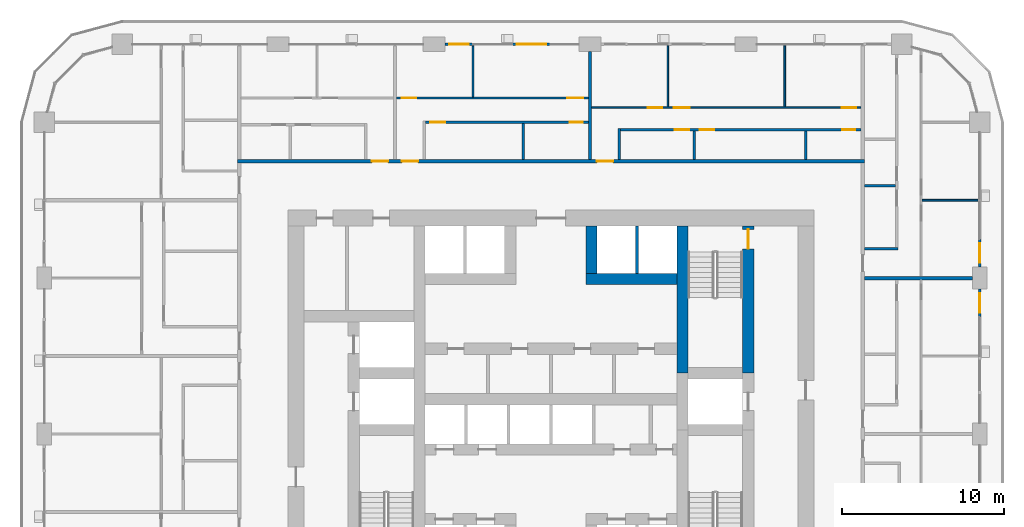
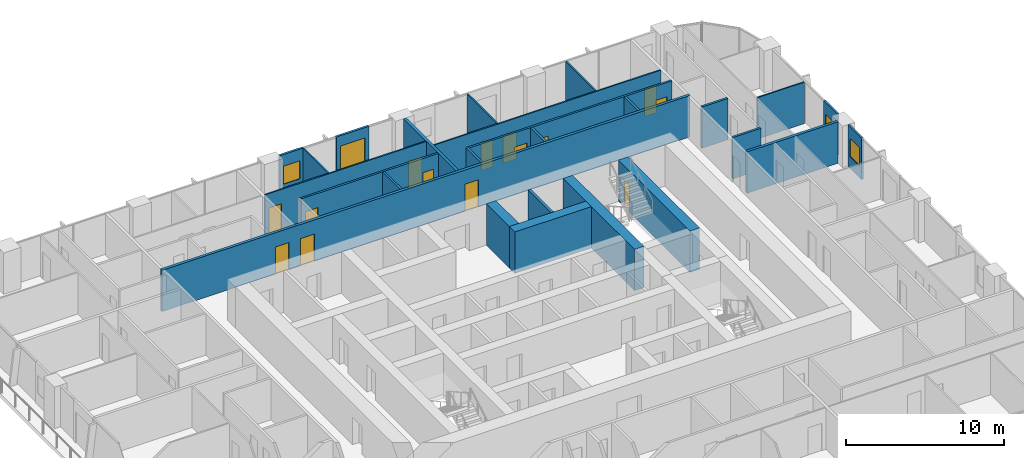
# One storey, part 14 of 21: 26 walls, 15 doors, 3 windows, 18 openings.
"""IFC4 building model written with IfcOpenShell, lengths in metres."""

from ifc_helpers import new_model, si_unit, direction, frame, frame_2d, origin, place, context, subcontext, project, spatial, rectangle, extrude, material, layer, layer_set, type_object, element, fill, save


model = new_model("IFC4")

# Units and contexts
model_context = context("Model", 3, precision=1e-05, world=origin(), true_north=direction((0.0, 1.0)))
body_context = subcontext(model_context, "Body", "Model", "MODEL_VIEW")
ifc_project = project(units=[si_unit("LENGTHUNIT", "METRE"), si_unit("AREAUNIT", "SQUARE_METRE"), si_unit("VOLUMEUNIT", "CUBIC_METRE"), si_unit("PLANEANGLEUNIT", "RADIAN"), si_unit("MASSUNIT", "GRAM", prefix="KILO")], contexts=[model_context])

# Site, building, storey
site_placement = place(None, origin())
site = spatial("IfcSite", under=ifc_project, at=site_placement, CompositionType="ELEMENT")
building_placement = place(site_placement, origin())
building = spatial("IfcBuilding", under=site, at=building_placement, Name="Madar Terraces", CompositionType="ELEMENT")
storey_placement = place(building_placement, frame((0.0, 0.0, 46.89990234375)))
storey = spatial("IfcBuildingStorey", under=building, at=storey_placement, Name="L11", CompositionType="ELEMENT", Elevation=46.89990234375)

# Wall
ifc_material_1 = material(Name="Concrete C80/95", Category="concrete")
ifc_layer_1 = layer(ifc_material_1, 0.699951171875)
ifc_layer_set_1 = layer_set([ifc_layer_1], Name="Concrete C80/95 (CIW1 RC wall 700)")
wall_type_1 = type_object("IfcWallType", Name="CIW1 RC wall 700", PredefinedType="SHEAR", material=ifc_layer_set_1)
wall_1_placement = place(storey_placement, frame((39.300048828125, 27.75, 0.0), z_axis=(0.0, 0.0, 1.0), x_axis=(0.0, 1.0, 0.0)))
element("IfcWall", 1, at=wall_1_placement, inside=storey, type_object=wall_type_1, Name="CORE SHAFT WALL", PredefinedType="SHEAR", context=body_context, shape_type="SweptSolid", body=[
    extrude(rectangle(XDim=9.050048828125, YDim=0.699951171875, at=frame_2d((4.52490234375, 0.0))), origin(), (0.0, 0.0, 1.0), 3.2001953125),
])

# Wall, opening, door
wall_2_placement = place(storey_placement, frame((43.35009765625, 27.75, 0.0), z_axis=(0.0, 0.0, 1.0), x_axis=(0.0, 1.0, 0.0)))
wall_2 = element("IfcWall", 2, at=wall_2_placement, inside=storey, type_object=wall_type_1, Name="CORE SHAFT WALL", PredefinedType="SHEAR", context=body_context, shape_type="SweptSolid", body=[
    extrude(rectangle(XDim=9.050048828125, YDim=0.699951171875, at=frame_2d((4.52490234375, 0.0))), origin(), (0.0, 0.0, 1.0), 3.2001953125),
])
opening_1_placement = place(wall_2_placement, frame((7.64990234375, 0.0, 0.0)))
opening_1 = element("IfcOpeningElement", 3, at=opening_1_placement, cuts=wall_2, Name="Opening SD1", PredefinedType="OPENING", context=body_context, shape_type="SweptSolid", body=[
    extrude(rectangle(XDim=1.199951171875, YDim=2.10009765625, at=frame_2d((0.60009765625, 1.050048828125))), frame((0.0, 0.35986328125, 0.0), z_axis=(0.0, -1.0, 0.0), x_axis=(1.0, 0.0, 0.0)), (0.0, 0.0, 1.0), 0.719970703125),
])
ifc_material_2 = material(Name="Steel door leaf", Category="steel")
door_type_1 = type_object("IfcDoorType", Name="Stair door 1200 x 2100", OperationType="NOTDEFINED", PredefinedType="DOOR", material=ifc_material_2)
door_1_placement = place(opening_1_placement, origin())
door_1 = element("IfcDoor", 4, at=door_1_placement, inside=storey, type_object=door_type_1, Name="STAIR DOOR", OperationType="SINGLE_SWING_LEFT", OverallHeight=2.10009765625, OverallWidth=1.199951171875, PredefinedType="DOOR", context=body_context, shape_type="SweptSolid", body=[
    extrude(rectangle(XDim=1.199951171875, YDim=2.10009765625, at=frame_2d((0.60009765625, 1.050048828125))), frame((0.0, 0.02490234375, 0.0), z_axis=(0.0, -1.0, 0.0), x_axis=(1.0, 0.0, 0.0)), (0.0, 0.0, 1.0), 0.050048828125),
])
fill(opening_1, door_1)

# Walls
wall_3_placement = place(storey_placement, frame((33.35009765625, 33.550048828125, 0.0), z_axis=(0.0, 0.0, 1.0), x_axis=(1.0, 0.0, 0.0)))
element("IfcWall", 5, at=wall_3_placement, inside=storey, type_object=wall_type_1, Name="CORE SHAFT WALL", PredefinedType="SHEAR", context=body_context, shape_type="SweptSolid", body=[
    extrude(rectangle(XDim=5.599853515625, YDim=0.699951171875, at=frame_2d((2.7998046875, 0.0))), origin(), (0.0, 0.0, 1.0), 3.2001953125),
])
wall_4_placement = place(storey_placement, frame((33.699951171875, 33.89990234375, 0.0), z_axis=(0.0, 0.0, 1.0), x_axis=(0.0, 1.0, 0.0)))
element("IfcWall", 6, at=wall_4_placement, inside=storey, type_object=wall_type_1, Name="CORE SHAFT WALL", PredefinedType="SHEAR", context=body_context, shape_type="SweptSolid", body=[
    extrude(rectangle(XDim=2.900146484375, YDim=0.699951171875, at=frame_2d((1.4501953125, 0.0))), origin(), (0.0, 0.0, 1.0), 3.2001953125),
])
ifc_material_3 = material(Name="Concrete C40/50", Category="concrete")
ifc_layer_2 = layer(ifc_material_3, 0.199951171875)
ifc_layer_set_2 = layer_set([ifc_layer_2], Name="Core shaft dividing wall 200 C40/50")
wall_type_2 = type_object("IfcWallType", Name="Core shaft dividing wall 200 C40/50", PredefinedType="SOLIDWALL", material=ifc_layer_set_2)
wall_5_placement = place(storey_placement, frame((36.5, 33.89990234375, 0.0), z_axis=(0.0, 0.0, 1.0), x_axis=(0.0, 1.0, 0.0)))
element("IfcWall", 7, at=wall_5_placement, inside=storey, type_object=wall_type_2, Name="SHAFT DIVIDING WALL", PredefinedType="SOLIDWALL", context=body_context, shape_type="SweptSolid", body=[
    extrude(rectangle(XDim=2.900146484375, YDim=0.199951171875, at=frame_2d((1.4501953125, 0.0))), origin(), (0.0, 0.0, 1.0), 3.2001953125),
])

# Wall, opening, window
ifc_material_4 = material(Name="Aluminium composite panel, black, over insulated backing", Category="aluminium")
ifc_layer_3 = layer(ifc_material_4, 0.14990234375)
ifc_layer_set_3 = layer_set([ifc_layer_3], Name="Facade bay panel 150")
wall_type_3 = type_object("IfcWallType", Name="Facade bay panel 150", PredefinedType="SOLIDWALL", material=ifc_layer_set_3)
wall_6_placement = place(storey_placement, frame((57.60009765625, 31.199951171875, 0.0), z_axis=(0.0, 0.0, 1.0), x_axis=(0.0, 1.0, 0.0)))
wall_6 = element("IfcWall", 8, at=wall_6_placement, inside=storey, type_object=wall_type_3, Name="Facade bay panel", PredefinedType="SOLIDWALL", context=body_context, shape_type="SweptSolid", body=[
    extrude(rectangle(XDim=1.72509765625, YDim=0.14990234375, at=frame_2d((0.862548828125, 0.0))), origin(), (0.0, 0.0, 1.0), 3.2001953125),
])
opening_2_placement = place(wall_6_placement, frame((0.262451171875, 0.0, 0.89990234375)))
opening_2 = element("IfcOpeningElement", 9, at=opening_2_placement, cuts=wall_6, Name="Opening W1", PredefinedType="OPENING", context=body_context, shape_type="SweptSolid", body=[
    extrude(rectangle(XDim=1.199951171875, YDim=1.39990234375, at=frame_2d((0.60009765625, 0.699951171875))), frame((0.0, 0.0849609375, 0.0), z_axis=(0.0, -1.0, 0.0), x_axis=(1.0, 0.0, 0.0)), (0.0, 0.0, 1.0), 0.169921875),
])
ifc_material_5 = material(Name="Glass, clear, with black aluminium frame", Category="aluminium")
window_type = type_object("IfcWindowType", Name="Vent window 1200 x 1400", PartitioningType="SINGLE_PANEL", PredefinedType="WINDOW", material=ifc_material_5)
window_1_placement = place(opening_2_placement, origin())
window_1 = element("IfcWindow", 10, at=window_1_placement, inside=storey, type_object=window_type, Name="Operable vent window", OverallHeight=1.39990234375, OverallWidth=1.199951171875, PartitioningType="SINGLE_PANEL", PredefinedType="WINDOW", context=body_context, shape_type="SweptSolid", body=[
    extrude(rectangle(XDim=1.199951171875, YDim=1.39990234375, at=frame_2d((0.60009765625, 0.699951171875))), frame((0.0, 0.030029296875, 0.0), z_axis=(0.0, -1.0, 0.0), x_axis=(1.0, 0.0, 0.0)), (0.0, 0.0, 1.0), 0.06005859375),
])
fill(opening_2, window_1)

wall_7_placement = place(storey_placement, frame((57.60009765625, 34.27490234375, 0.0), z_axis=(0.0, 0.0, 1.0), x_axis=(0.0, 1.0, 0.0)))
wall_7 = element("IfcWall", 11, at=wall_7_placement, inside=storey, type_object=wall_type_3, Name="Facade bay panel", PredefinedType="SOLIDWALL", context=body_context, shape_type="SweptSolid", body=[
    extrude(rectangle(XDim=1.72509765625, YDim=0.14990234375, at=frame_2d((0.862548828125, 0.0))), origin(), (0.0, 0.0, 1.0), 3.2001953125),
])
opening_3_placement = place(wall_7_placement, frame((0.262451171875, 0.0, 0.89990234375)))
opening_3 = element("IfcOpeningElement", 12, at=opening_3_placement, cuts=wall_7, Name="Opening W1", PredefinedType="OPENING", context=body_context, shape_type="SweptSolid", body=[
    extrude(rectangle(XDim=1.199951171875, YDim=1.39990234375, at=frame_2d((0.60009765625, 0.699951171875))), frame((0.0, 0.0849609375, 0.0), z_axis=(0.0, -1.0, 0.0), x_axis=(1.0, 0.0, 0.0)), (0.0, 0.0, 1.0), 0.169921875),
])
window_2_placement = place(opening_3_placement, origin())
window_2 = element("IfcWindow", 13, at=window_2_placement, inside=storey, type_object=window_type, Name="Operable vent window", OverallHeight=1.39990234375, OverallWidth=1.199951171875, PartitioningType="SINGLE_PANEL", PredefinedType="WINDOW", context=body_context, shape_type="SweptSolid", body=[
    extrude(rectangle(XDim=1.199951171875, YDim=1.39990234375, at=frame_2d((0.60009765625, 0.699951171875))), frame((0.0, 0.030029296875, 0.0), z_axis=(0.0, -1.0, 0.0), x_axis=(1.0, 0.0, 0.0)), (0.0, 0.0, 1.0), 0.06005859375),
])
fill(opening_3, window_2)

# Wall, opening, door
wall_8_placement = place(storey_placement, frame((31.199951171875, 48.0, 0.0), z_axis=(0.0, 0.0, 1.0), x_axis=(-1.0, 0.0, 0.0)))
wall_8 = element("IfcWall", 14, at=wall_8_placement, inside=storey, type_object=wall_type_3, Name="Facade bay panel", PredefinedType="SOLIDWALL", context=body_context, shape_type="SweptSolid", body=[
    extrude(rectangle(XDim=2.39990234375, YDim=0.14990234375, at=frame_2d((1.199951171875, 0.0))), origin(), (0.0, 0.0, 1.0), 3.2001953125),
])
opening_4_placement = place(wall_8_placement, frame((0.300048828125, 0.0, 0.0)))
opening_4 = element("IfcOpeningElement", 15, at=opening_4_placement, cuts=wall_8, Name="Opening ED1", PredefinedType="OPENING", context=body_context, shape_type="SweptSolid", body=[
    extrude(rectangle(XDim=1.800048828125, YDim=2.39990234375, at=frame_2d((0.89990234375, 1.199951171875))), frame((0.0, 0.0849609375, 0.0), z_axis=(0.0, -1.0, 0.0), x_axis=(1.0, 0.0, 0.0)), (0.0, 0.0, 1.0), 0.169921875),
])
ifc_material_6 = material(Name="Glass, clear, with black aluminium frame", Category="aluminium")
door_type_2 = type_object("IfcDoorType", Name="Balcony and terrace sliding door 1800 x 2400", OperationType="SLIDING_TO_LEFT", PredefinedType="DOOR", material=ifc_material_6)
door_2_placement = place(opening_4_placement, origin())
door_2 = element("IfcDoor", 16, at=door_2_placement, inside=storey, type_object=door_type_2, Name="Balcony door", OperationType="SLIDING_TO_LEFT", OverallHeight=2.39990234375, OverallWidth=1.800048828125, PredefinedType="DOOR", context=body_context, shape_type="SweptSolid", body=[
    extrude(rectangle(XDim=1.800048828125, YDim=2.39990234375, at=frame_2d((0.89990234375, 1.199951171875))), frame((0.0, 0.02490234375, 0.0), z_axis=(0.0, -1.0, 0.0), x_axis=(1.0, 0.0, 0.0)), (0.0, 0.0, 1.0), 0.050048828125),
])
fill(opening_4, door_2)

# Wall, opening, window
wall_9_placement = place(storey_placement, frame((26.39990234375, 48.0, 0.0), z_axis=(0.0, 0.0, 1.0), x_axis=(-1.0, 0.0, 0.0)))
wall_9 = element("IfcWall", 17, at=wall_9_placement, inside=storey, type_object=wall_type_3, Name="Facade bay panel", PredefinedType="SOLIDWALL", context=body_context, shape_type="SweptSolid", body=[
    extrude(rectangle(XDim=1.724853515625, YDim=0.14990234375, at=frame_2d((0.8623046875, 0.0))), origin(), (0.0, 0.0, 1.0), 3.2001953125),
])
opening_5_placement = place(wall_9_placement, frame((0.262451171875, 0.0, 0.89990234375)))
opening_5 = element("IfcOpeningElement", 18, at=opening_5_placement, cuts=wall_9, Name="Opening W1", PredefinedType="OPENING", context=body_context, shape_type="SweptSolid", body=[
    extrude(rectangle(XDim=1.199951171875, YDim=1.39990234375, at=frame_2d((0.60009765625, 0.699951171875))), frame((0.0, 0.0849609375, 0.0), z_axis=(0.0, -1.0, 0.0), x_axis=(1.0, 0.0, 0.0)), (0.0, 0.0, 1.0), 0.169921875),
])
window_3_placement = place(opening_5_placement, origin())
window_3 = element("IfcWindow", 19, at=window_3_placement, inside=storey, type_object=window_type, Name="Operable vent window", OverallHeight=1.39990234375, OverallWidth=1.199951171875, PartitioningType="SINGLE_PANEL", PredefinedType="WINDOW", context=body_context, shape_type="SweptSolid", body=[
    extrude(rectangle(XDim=1.199951171875, YDim=1.39990234375, at=frame_2d((0.60009765625, 0.699951171875))), frame((0.0, 0.030029296875, 0.0), z_axis=(0.0, -1.0, 0.0), x_axis=(1.0, 0.0, 0.0)), (0.0, 0.0, 1.0), 0.06005859375),
])
fill(opening_5, window_3)

# Walls
ifc_material_7 = material(Name="Gypsum board on steel studs", Category="steel")
ifc_layer_4 = layer(ifc_material_7, 0.10009765625)
ifc_layer_set_4 = layer_set([ifc_layer_4], Name="Flat partition 100")
wall_type_4 = type_object("IfcWallType", Name="Flat partition 100", PredefinedType="PARTITIONING", material=ifc_layer_set_4)
wall_10_placement = place(storey_placement, frame((54.050048828125, 38.39990234375, 0.0), z_axis=(0.0, 0.0, 1.0), x_axis=(1.0, 0.0, 0.0)))
element("IfcWall", 20, at=wall_10_placement, inside=storey, type_object=wall_type_4, Name="Flat partition 100", PredefinedType="PARTITIONING", context=body_context, shape_type="SweptSolid", body=[
    extrude(rectangle(XDim=3.449951171875, YDim=0.10009765625, at=frame_2d((1.72509765625, 0.0))), origin(), (0.0, 0.0, 1.0), 3.2001953125),
])
for number, where, z_axis, x_axis, name in (
    (21, (38.39990234375, 44.14990234375, 0.0), (0.0, 0.0, 1.0), (0.0, 1.0, 0.0), "Flat partition 100"),
    (22, (45.60009765625, 44.14990234375, 0.0), (0.0, 0.0, 1.0), (0.0, 1.0, 0.0), "Flat partition 100"),
):
    element("IfcWall", number, at=place(storey_placement, frame(where, z_axis=z_axis, x_axis=x_axis)), inside=storey, type_object=wall_type_4, Name=name, PredefinedType="PARTITIONING", context=body_context, shape_type="SweptSolid", body=[
        extrude(rectangle(XDim=3.75, YDim=0.10009765625, at=frame_2d((1.875, 0.0))), origin(), (0.0, 0.0, 1.0), 3.2001953125),
    ])

# Wall, openings, doors
wall_11_placement = place(storey_placement, frame((33.699951171875, 44.10009765625, 0.0), z_axis=(0.0, 0.0, 1.0), x_axis=(1.0, 0.0, 0.0)))
wall_11 = element("IfcWall", 23, at=wall_11_placement, inside=storey, type_object=wall_type_4, Name="Flat partition 100", PredefinedType="PARTITIONING", context=body_context, shape_type="SweptSolid", body=[
    extrude(rectangle(XDim=16.60009765625, YDim=0.10009765625, at=frame_2d((8.300048828125, 0.0))), origin(), (0.0, 0.0, 1.0), 3.2001953125),
])
opening_6_placement = place(wall_11_placement, frame((3.449951171875, 0.0, 0.0)))
opening_6 = element("IfcOpeningElement", 24, at=opening_6_placement, cuts=wall_11, Name="Opening D2", PredefinedType="OPENING", context=body_context, shape_type="SweptSolid", body=[
    extrude(rectangle(XDim=0.89990234375, YDim=2.10009765625, at=frame_2d((0.449951171875, 1.050048828125))), frame((0.0, 0.06005859375, 0.0), z_axis=(0.0, -1.0, 0.0), x_axis=(1.0, 0.0, 0.0)), (0.0, 0.0, 1.0), 0.1201171875),
])
opening_7_placement = place(wall_11_placement, frame((5.050048828125, 0.0, 0.0)))
opening_7 = element("IfcOpeningElement", 25, at=opening_7_placement, cuts=wall_11, Name="Opening D3", PredefinedType="OPENING", context=body_context, shape_type="SweptSolid", body=[
    extrude(rectangle(XDim=1.0, YDim=2.10009765625, at=frame_2d((0.5, 1.050048828125))), frame((0.0, 0.06005859375, 0.0), z_axis=(0.0, -1.0, 0.0), x_axis=(1.0, 0.0, 0.0)), (0.0, 0.0, 1.0), 0.1201171875),
])
opening_8_placement = place(wall_11_placement, frame((15.39990234375, 0.0, 0.0)))
opening_8 = element("IfcOpeningElement", 26, at=opening_8_placement, cuts=wall_11, Name="Opening D2", PredefinedType="OPENING", context=body_context, shape_type="SweptSolid", body=[
    extrude(rectangle(XDim=0.89990234375, YDim=2.10009765625, at=frame_2d((0.449951171875, 1.050048828125))), frame((0.0, 0.06005859375, 0.0), z_axis=(0.0, -1.0, 0.0), x_axis=(1.0, 0.0, 0.0)), (0.0, 0.0, 1.0), 0.1201171875),
])
ifc_material_8 = material(Name="Timber door leaf", Category="wood")
door_type_3 = type_object("IfcDoorType", Name="Flat living room door 1000", OperationType="NOTDEFINED", PredefinedType="DOOR", material=ifc_material_8)
door_3_placement = place(opening_7_placement, origin())
door_3 = element("IfcDoor", 27, at=door_3_placement, inside=storey, type_object=door_type_3, Name="Flat living room door 1000", OperationType="SINGLE_SWING_LEFT", OverallHeight=2.10009765625, OverallWidth=1.0, PredefinedType="DOOR", context=body_context, shape_type="SweptSolid", body=[
    extrude(rectangle(XDim=1.0, YDim=2.10009765625, at=frame_2d((0.5, 1.050048828125))), frame((0.0, 0.02490234375, 0.0), z_axis=(0.0, -1.0, 0.0), x_axis=(1.0, 0.0, 0.0)), (0.0, 0.0, 1.0), 0.050048828125),
])
fill(opening_7, door_3)
ifc_material_9 = material(Name="Timber door leaf", Category="wood")
door_type_4 = type_object("IfcDoorType", Name="Flat room door 900", OperationType="NOTDEFINED", PredefinedType="DOOR", material=ifc_material_9)
door_4_placement = place(opening_6_placement, origin())
door_4 = element("IfcDoor", 28, at=door_4_placement, inside=storey, type_object=door_type_4, Name="Flat room door 900", OperationType="SINGLE_SWING_RIGHT", OverallHeight=2.10009765625, OverallWidth=0.89990234375, PredefinedType="DOOR", context=body_context, shape_type="SweptSolid", body=[
    extrude(rectangle(XDim=0.89990234375, YDim=2.10009765625, at=frame_2d((0.449951171875, 1.050048828125))), frame((0.0, 0.02490234375, 0.0), z_axis=(0.0, -1.0, 0.0), x_axis=(1.0, 0.0, 0.0)), (0.0, 0.0, 1.0), 0.050048828125),
])
fill(opening_6, door_4)
door_5_placement = place(opening_8_placement, origin())
door_5 = element("IfcDoor", 29, at=door_5_placement, inside=storey, type_object=door_type_4, Name="Flat room door 900", OperationType="SINGLE_SWING_RIGHT", OverallHeight=2.10009765625, OverallWidth=0.89990234375, PredefinedType="DOOR", context=body_context, shape_type="SweptSolid", body=[
    extrude(rectangle(XDim=0.89990234375, YDim=2.10009765625, at=frame_2d((0.449951171875, 1.050048828125))), frame((0.0, 0.02490234375, 0.0), z_axis=(0.0, -1.0, 0.0), x_axis=(1.0, 0.0, 0.0)), (0.0, 0.0, 1.0), 0.050048828125),
])
fill(opening_8, door_5)

# Wall
wall_12_placement = place(storey_placement, frame((26.39990234375, 44.75, 0.0), z_axis=(0.0, 0.0, 1.0), x_axis=(0.0, 1.0, 0.0)))
element("IfcWall", 30, at=wall_12_placement, inside=storey, type_object=wall_type_4, Name="Flat partition 100", PredefinedType="PARTITIONING", context=body_context, shape_type="SweptSolid", body=[
    extrude(rectangle(XDim=3.14990234375, YDim=0.10009765625, at=frame_2d((1.574951171875, 0.0))), origin(), (0.0, 0.0, 1.0), 3.2001953125),
])

# Wall, openings, doors
wall_13_placement = place(storey_placement, frame((21.699951171875, 44.699951171875, 0.0), z_axis=(0.0, 0.0, 1.0), x_axis=(1.0, 0.0, 0.0)))
wall_13 = element("IfcWall", 31, at=wall_13_placement, inside=storey, type_object=wall_type_4, Name="Flat partition 100", PredefinedType="PARTITIONING", context=body_context, shape_type="SweptSolid", body=[
    extrude(rectangle(XDim=11.800048828125, YDim=0.10009765625, at=frame_2d((5.89990234375, 0.0))), origin(), (0.0, 0.0, 1.0), 3.2001953125),
])
opening_9_placement = place(wall_13_placement, frame((0.300048828125, 0.0, 0.0)))
opening_9 = element("IfcOpeningElement", 32, at=opening_9_placement, cuts=wall_13, Name="Opening D2", PredefinedType="OPENING", context=body_context, shape_type="SweptSolid", body=[
    extrude(rectangle(XDim=0.89990234375, YDim=2.10009765625, at=frame_2d((0.449951171875, 1.050048828125))), frame((0.0, 0.06005859375, 0.0), z_axis=(0.0, -1.0, 0.0), x_axis=(1.0, 0.0, 0.0)), (0.0, 0.0, 1.0), 0.1201171875),
])
opening_10_placement = place(wall_13_placement, frame((10.5, 0.0, 0.0)))
opening_10 = element("IfcOpeningElement", 33, at=opening_10_placement, cuts=wall_13, Name="Opening D3", PredefinedType="OPENING", context=body_context, shape_type="SweptSolid", body=[
    extrude(rectangle(XDim=1.0, YDim=2.10009765625, at=frame_2d((0.5, 1.050048828125))), frame((0.0, 0.06005859375, 0.0), z_axis=(0.0, -1.0, 0.0), x_axis=(1.0, 0.0, 0.0)), (0.0, 0.0, 1.0), 0.1201171875),
])
door_6_placement = place(opening_10_placement, origin())
door_6 = element("IfcDoor", 34, at=door_6_placement, inside=storey, type_object=door_type_3, Name="Flat living room door 1000", OperationType="SINGLE_SWING_RIGHT", OverallHeight=2.10009765625, OverallWidth=1.0, PredefinedType="DOOR", context=body_context, shape_type="SweptSolid", body=[
    extrude(rectangle(XDim=1.0, YDim=2.10009765625, at=frame_2d((0.5, 1.050048828125))), frame((0.0, 0.02490234375, 0.0), z_axis=(0.0, -1.0, 0.0), x_axis=(1.0, 0.0, 0.0)), (0.0, 0.0, 1.0), 0.050048828125),
])
fill(opening_10, door_6)
door_7_placement = place(opening_9_placement, origin())
door_7 = element("IfcDoor", 35, at=door_7_placement, inside=storey, type_object=door_type_4, Name="Flat room door 900", OperationType="SINGLE_SWING_LEFT", OverallHeight=2.10009765625, OverallWidth=0.89990234375, PredefinedType="DOOR", context=body_context, shape_type="SweptSolid", body=[
    extrude(rectangle(XDim=0.89990234375, YDim=2.10009765625, at=frame_2d((0.449951171875, 1.050048828125))), frame((0.0, 0.02490234375, 0.0), z_axis=(0.0, -1.0, 0.0), x_axis=(1.0, 0.0, 0.0)), (0.0, 0.0, 1.0), 0.050048828125),
])
fill(opening_9, door_7)

ifc_material_10 = material(Name="Lightweight blockwork", Category="masonry")
ifc_layer_5 = layer(ifc_material_10, 0.199951171875)
ifc_layer_set_5 = layer_set([ifc_layer_5], Name="Flat party and entrance wall 200")
wall_type_5 = type_object("IfcWallType", Name="Flat party and entrance wall 200", PredefinedType="PARTITIONING", material=ifc_layer_set_5)
wall_14_placement = place(storey_placement, frame((11.89990234375, 40.800048828125, 0.0), z_axis=(0.0, 0.0, 1.0), x_axis=(1.0, 0.0, 0.0)))
wall_14 = element("IfcWall", 36, at=wall_14_placement, inside=storey, type_object=wall_type_5, Name="Flat party and entrance wall 200", PredefinedType="PARTITIONING", context=body_context, shape_type="SweptSolid", body=[
    extrude(rectangle(XDim=38.60009765625, YDim=0.199951171875, at=frame_2d((19.300048828125, 0.0))), origin(), (0.0, 0.0, 1.0), 3.2001953125),
])
opening_11_placement = place(wall_14_placement, frame((22.125, 0.0, 0.0)))
opening_11 = element("IfcOpeningElement", 37, at=opening_11_placement, cuts=wall_14, Name="Opening D1", PredefinedType="OPENING", context=body_context, shape_type="SweptSolid", body=[
    extrude(rectangle(XDim=1.0, YDim=2.10009765625, at=frame_2d((0.5, 1.050048828125))), frame((0.0, 0.10986328125, 0.0), z_axis=(0.0, -1.0, 0.0), x_axis=(1.0, 0.0, 0.0)), (0.0, 0.0, 1.0), 0.219970703125),
])
opening_12_placement = place(wall_14_placement, frame((10.125, 0.0, 0.0)))
opening_12 = element("IfcOpeningElement", 38, at=opening_12_placement, cuts=wall_14, Name="Opening D1", PredefinedType="OPENING", context=body_context, shape_type="SweptSolid", body=[
    extrude(rectangle(XDim=1.0, YDim=2.10009765625, at=frame_2d((0.5, 1.050048828125))), frame((0.0, 0.10986328125, 0.0), z_axis=(0.0, -1.0, 0.0), x_axis=(1.0, 0.0, 0.0)), (0.0, 0.0, 1.0), 0.219970703125),
])
opening_13_placement = place(wall_14_placement, frame((8.27490234375, 0.0, 0.0)))
opening_13 = element("IfcOpeningElement", 39, at=opening_13_placement, cuts=wall_14, Name="Opening D1", PredefinedType="OPENING", context=body_context, shape_type="SweptSolid", body=[
    extrude(rectangle(XDim=1.0, YDim=2.10009765625, at=frame_2d((0.5, 1.050048828125))), frame((0.0, 0.10986328125, 0.0), z_axis=(0.0, -1.0, 0.0), x_axis=(1.0, 0.0, 0.0)), (0.0, 0.0, 1.0), 0.219970703125),
])
ifc_material_11 = material(Name="Timber fire door leaf", Category="wood")
door_type_5 = type_object("IfcDoorType", Name="Flat entrance door 1000 FD30S", OperationType="NOTDEFINED", PredefinedType="DOOR", material=ifc_material_11)
door_8_placement = place(opening_11_placement, origin())
door_8 = element("IfcDoor", 40, at=door_8_placement, inside=storey, type_object=door_type_5, Name="Flat entrance door 1000 FD30S", OperationType="SINGLE_SWING_LEFT", OverallHeight=2.10009765625, OverallWidth=1.0, PredefinedType="DOOR", context=body_context, shape_type="SweptSolid", body=[
    extrude(rectangle(XDim=1.0, YDim=2.10009765625, at=frame_2d((0.5, 1.050048828125))), frame((0.0, 0.02490234375, 0.0), z_axis=(0.0, -1.0, 0.0), x_axis=(1.0, 0.0, 0.0)), (0.0, 0.0, 1.0), 0.050048828125),
])
fill(opening_11, door_8)
door_9_placement = place(opening_12_placement, origin())
door_9 = element("IfcDoor", 41, at=door_9_placement, inside=storey, type_object=door_type_5, Name="Flat entrance door 1000 FD30S", OperationType="SINGLE_SWING_LEFT", OverallHeight=2.10009765625, OverallWidth=1.0, PredefinedType="DOOR", context=body_context, shape_type="SweptSolid", body=[
    extrude(rectangle(XDim=1.0, YDim=2.10009765625, at=frame_2d((0.5, 1.050048828125))), frame((0.0, 0.02490234375, 0.0), z_axis=(0.0, -1.0, 0.0), x_axis=(1.0, 0.0, 0.0)), (0.0, 0.0, 1.0), 0.050048828125),
])
fill(opening_12, door_9)
door_10_placement = place(opening_13_placement, origin())
door_10 = element("IfcDoor", 42, at=door_10_placement, inside=storey, type_object=door_type_5, Name="Flat entrance door 1000 FD30S", OperationType="SINGLE_SWING_RIGHT", OverallHeight=2.10009765625, OverallWidth=1.0, PredefinedType="DOOR", context=body_context, shape_type="SweptSolid", body=[
    extrude(rectangle(XDim=1.0, YDim=2.10009765625, at=frame_2d((0.5, 1.050048828125))), frame((0.0, 0.02490234375, 0.0), z_axis=(0.0, -1.0, 0.0), x_axis=(1.0, 0.0, 0.0)), (0.0, 0.0, 1.0), 0.050048828125),
])
fill(opening_13, door_10)

# Walls
wall_15_placement = place(storey_placement, frame((50.5, 33.60009765625, 0.0), z_axis=(0.0, 0.0, 1.0), x_axis=(1.0, 0.0, 0.0)))
element("IfcWall", 43, at=wall_15_placement, inside=storey, type_object=wall_type_5, Name="Flat party and entrance wall 200", PredefinedType="PARTITIONING", context=body_context, shape_type="SweptSolid", body=[
    extrude(rectangle(XDim=6.64990234375, YDim=0.199951171875, at=frame_2d((3.324951171875, 0.0))), origin(), (0.0, 0.0, 1.0), 3.2001953125),
])
wall_16_placement = place(storey_placement, frame((33.60009765625, 47.550048828125, 0.0), z_axis=(0.0, 0.0, 1.0), x_axis=(0.0, -1.0, 0.0)))
element("IfcWall", 44, at=wall_16_placement, inside=storey, type_object=wall_type_5, Name="Flat party and entrance wall 200", PredefinedType="PARTITIONING", context=body_context, shape_type="SweptSolid", body=[
    extrude(rectangle(XDim=6.650146484375, YDim=0.199951171875, at=frame_2d((3.3251953125, 0.0))), origin(), (0.0, 0.0, 1.0), 3.2001953125),
])
ifc_material_12 = material(Name="Lightweight blockwork", Category="masonry")
ifc_layer_6 = layer(ifc_material_12, 0.14990234375)
ifc_layer_set_6 = layer_set([ifc_layer_6], Name="Flat wet-room partition 150")
wall_type_6 = type_object("IfcWallType", Name="Flat wet-room partition 150", PredefinedType="PARTITIONING", material=ifc_layer_set_6)
wall_17_placement = place(storey_placement, frame((50.5, 39.298095703125, 0.0), z_axis=(0.0, 0.0, 1.0), x_axis=(1.0, 0.0, 0.0)))
element("IfcWall", 45, at=wall_17_placement, inside=storey, type_object=wall_type_6, Name="Flat wet-room partition 150", PredefinedType="PARTITIONING", context=body_context, shape_type="SweptSolid", body=[
    extrude(rectangle(XDim=1.925048828125, YDim=0.14990234375, at=frame_2d((0.96240234375, 0.0))), origin(), (0.0, 0.0, 1.0), 3.2001953125),
])
wall_18_placement = place(storey_placement, frame((50.5, 35.39990234375, 0.0), z_axis=(0.0, 0.0, 1.0), x_axis=(1.0, 0.0, 0.0)))
element("IfcWall", 46, at=wall_18_placement, inside=storey, type_object=wall_type_6, Name="Flat wet-room partition 150", PredefinedType="PARTITIONING", context=body_context, shape_type="SweptSolid", body=[
    extrude(rectangle(XDim=2.074951171875, YDim=0.14990234375, at=frame_2d((1.03759765625, 0.0))), origin(), (0.0, 0.0, 1.0), 3.2001953125),
])
for number, where, z_axis, x_axis, name in (
    (47, (40.03662109375, 40.89990234375, 0.0), (0.0, 0.0, 1.0), (0.0, 1.0, 0.0), "Flat wet-room partition 150"),
    (48, (46.87890625, 40.89990234375, 0.0), (0.0, 0.0, 1.0), (0.0, 1.0, 0.0), "Flat wet-room partition 150"),
):
    element("IfcWall", number, at=place(storey_placement, frame(where, z_axis=z_axis, x_axis=x_axis)), inside=storey, type_object=wall_type_6, Name=name, PredefinedType="PARTITIONING", context=body_context, shape_type="SweptSolid", body=[
        extrude(rectangle(XDim=1.775146484375, YDim=0.14990234375, at=frame_2d((0.8876953125, 0.0))), origin(), (0.0, 0.0, 1.0), 3.2001953125),
    ])
wall_19_placement = place(storey_placement, frame((35.39990234375, 40.89990234375, 0.0), z_axis=(0.0, 0.0, 1.0), x_axis=(0.0, 1.0, 0.0)))
element("IfcWall", 49, at=wall_19_placement, inside=storey, type_object=wall_type_6, Name="Flat wet-room partition 150", PredefinedType="PARTITIONING", context=body_context, shape_type="SweptSolid", body=[
    extrude(rectangle(XDim=1.925048828125, YDim=0.14990234375, at=frame_2d((0.96240234375, 0.0))), origin(), (0.0, 0.0, 1.0), 3.2001953125),
])

# Wall, openings, doors
wall_20_placement = place(storey_placement, frame((50.300048828125, 42.75, 0.0), z_axis=(0.0, 0.0, 1.0), x_axis=(-1.0, 0.0, 0.0)))
wall_20 = element("IfcWall", 50, at=wall_20_placement, inside=storey, type_object=wall_type_6, Name="Flat wet-room partition 150", PredefinedType="PARTITIONING", context=body_context, shape_type="SweptSolid", body=[
    extrude(rectangle(XDim=14.824951171875, YDim=0.14990234375, at=frame_2d((7.41259765625, 0.0))), origin(), (0.0, 0.0, 1.0), 3.2001953125),
])
opening_14_placement = place(wall_20_placement, frame((10.58837890625, 0.0, 0.0)))
opening_14 = element("IfcOpeningElement", 51, at=opening_14_placement, cuts=wall_20, Name="Opening D5", PredefinedType="OPENING", context=body_context, shape_type="SweptSolid", body=[
    extrude(rectangle(XDim=0.89990234375, YDim=2.10009765625, at=frame_2d((0.449951171875, 1.050048828125))), frame((0.0, 0.0849609375, 0.0), z_axis=(0.0, -1.0, 0.0), x_axis=(1.0, 0.0, 0.0)), (0.0, 0.0, 1.0), 0.169921875),
])
opening_15_placement = place(wall_20_placement, frame((9.03857421875, 0.0, 0.0)))
opening_15 = element("IfcOpeningElement", 52, at=opening_15_placement, cuts=wall_20, Name="Opening D2", PredefinedType="OPENING", context=body_context, shape_type="SweptSolid", body=[
    extrude(rectangle(XDim=0.89990234375, YDim=2.10009765625, at=frame_2d((0.449951171875, 1.050048828125))), frame((0.0, 0.0849609375, 0.0), z_axis=(0.0, -1.0, 0.0), x_axis=(1.0, 0.0, 0.0)), (0.0, 0.0, 1.0), 0.169921875),
])
opening_16_placement = place(wall_20_placement, frame((0.35009765625, 0.0, 0.0)))
opening_16 = element("IfcOpeningElement", 53, at=opening_16_placement, cuts=wall_20, Name="Opening D4", PredefinedType="OPENING", context=body_context, shape_type="SweptSolid", body=[
    extrude(rectangle(XDim=0.800048828125, YDim=2.10009765625, at=frame_2d((0.39990234375, 1.050048828125))), frame((0.0, 0.0849609375, 0.0), z_axis=(0.0, -1.0, 0.0), x_axis=(1.0, 0.0, 0.0)), (0.0, 0.0, 1.0), 0.169921875),
])
ifc_material_13 = material(Name="Timber door leaf", Category="wood")
door_type_6 = type_object("IfcDoorType", Name="Flat accessible bathroom door 900", OperationType="NOTDEFINED", PredefinedType="DOOR", material=ifc_material_13)
door_11_placement = place(opening_14_placement, origin())
door_11 = element("IfcDoor", 54, at=door_11_placement, inside=storey, type_object=door_type_6, Name="Flat accessible bathroom door 900", OperationType="SINGLE_SWING_LEFT", OverallHeight=2.10009765625, OverallWidth=0.89990234375, PredefinedType="DOOR", context=body_context, shape_type="SweptSolid", body=[
    extrude(rectangle(XDim=0.89990234375, YDim=2.10009765625, at=frame_2d((0.449951171875, 1.050048828125))), frame((0.0, 0.02490234375, 0.0), z_axis=(0.0, -1.0, 0.0), x_axis=(1.0, 0.0, 0.0)), (0.0, 0.0, 1.0), 0.050048828125),
])
fill(opening_14, door_11)
ifc_material_14 = material(Name="Timber door leaf", Category="wood")
door_type_7 = type_object("IfcDoorType", Name="Flat bathroom door 800", OperationType="NOTDEFINED", PredefinedType="DOOR", material=ifc_material_14)
door_12_placement = place(opening_16_placement, origin())
door_12 = element("IfcDoor", 55, at=door_12_placement, inside=storey, type_object=door_type_7, Name="Flat bathroom door 800", OperationType="SINGLE_SWING_LEFT", OverallHeight=2.10009765625, OverallWidth=0.800048828125, PredefinedType="DOOR", context=body_context, shape_type="SweptSolid", body=[
    extrude(rectangle(XDim=0.800048828125, YDim=2.10009765625, at=frame_2d((0.39990234375, 1.050048828125))), frame((0.0, 0.02490234375, 0.0), z_axis=(0.0, -1.0, 0.0), x_axis=(1.0, 0.0, 0.0)), (0.0, 0.0, 1.0), 0.050048828125),
])
fill(opening_16, door_12)
door_13_placement = place(opening_15_placement, origin())
door_13 = element("IfcDoor", 56, at=door_13_placement, inside=storey, type_object=door_type_4, Name="Flat room door 900", OperationType="SINGLE_SWING_RIGHT", OverallHeight=2.10009765625, OverallWidth=0.89990234375, PredefinedType="DOOR", context=body_context, shape_type="SweptSolid", body=[
    extrude(rectangle(XDim=0.89990234375, YDim=2.10009765625, at=frame_2d((0.449951171875, 1.050048828125))), frame((0.0, 0.02490234375, 0.0), z_axis=(0.0, -1.0, 0.0), x_axis=(1.0, 0.0, 0.0)), (0.0, 0.0, 1.0), 0.050048828125),
])
fill(opening_15, door_13)

# Wall
wall_21_placement = place(storey_placement, frame((29.489990234375, 40.89990234375, 0.0), z_axis=(0.0, 0.0, 1.0), x_axis=(0.0, 1.0, 0.0)))
element("IfcWall", 57, at=wall_21_placement, inside=storey, type_object=wall_type_6, Name="Flat wet-room partition 150", PredefinedType="PARTITIONING", context=body_context, shape_type="SweptSolid", body=[
    extrude(rectangle(XDim=2.22509765625, YDim=0.14990234375, at=frame_2d((1.112548828125, 0.0))), origin(), (0.0, 0.0, 1.0), 3.2001953125),
])

# Wall, openings, doors
wall_22_placement = place(storey_placement, frame((33.5, 43.199951171875, 0.0), z_axis=(0.0, 0.0, 1.0), x_axis=(-1.0, 0.0, 0.0)))
wall_22 = element("IfcWall", 58, at=wall_22_placement, inside=storey, type_object=wall_type_6, Name="Flat wet-room partition 150", PredefinedType="PARTITIONING", context=body_context, shape_type="SweptSolid", body=[
    extrude(rectangle(XDim=10.02490234375, YDim=0.14990234375, at=frame_2d((5.012451171875, 0.0))), origin(), (0.0, 0.0, 1.0), 3.2001953125),
])
opening_17_placement = place(wall_22_placement, frame((8.824951171875, 0.0, 0.0)))
opening_17 = element("IfcOpeningElement", 59, at=opening_17_placement, cuts=wall_22, Name="Opening D2", PredefinedType="OPENING", context=body_context, shape_type="SweptSolid", body=[
    extrude(rectangle(XDim=0.89990234375, YDim=2.10009765625, at=frame_2d((0.449951171875, 1.050048828125))), frame((0.0, 0.0849609375, 0.0), z_axis=(0.0, -1.0, 0.0), x_axis=(1.0, 0.0, 0.0)), (0.0, 0.0, 1.0), 0.169921875),
])
opening_18_placement = place(wall_22_placement, frame((0.35009765625, 0.0, 0.0)))
opening_18 = element("IfcOpeningElement", 60, at=opening_18_placement, cuts=wall_22, Name="Opening D4", PredefinedType="OPENING", context=body_context, shape_type="SweptSolid", body=[
    extrude(rectangle(XDim=0.800048828125, YDim=2.10009765625, at=frame_2d((0.39990234375, 1.050048828125))), frame((0.0, 0.0849609375, 0.0), z_axis=(0.0, -1.0, 0.0), x_axis=(1.0, 0.0, 0.0)), (0.0, 0.0, 1.0), 0.169921875),
])
door_14_placement = place(opening_18_placement, origin())
door_14 = element("IfcDoor", 61, at=door_14_placement, inside=storey, type_object=door_type_7, Name="Flat bathroom door 800", OperationType="SINGLE_SWING_LEFT", OverallHeight=2.10009765625, OverallWidth=0.800048828125, PredefinedType="DOOR", context=body_context, shape_type="SweptSolid", body=[
    extrude(rectangle(XDim=0.800048828125, YDim=2.10009765625, at=frame_2d((0.39990234375, 1.050048828125))), frame((0.0, 0.02490234375, 0.0), z_axis=(0.0, -1.0, 0.0), x_axis=(1.0, 0.0, 0.0)), (0.0, 0.0, 1.0), 0.050048828125),
])
fill(opening_18, door_14)
door_15_placement = place(opening_17_placement, origin())
door_15 = element("IfcDoor", 62, at=door_15_placement, inside=storey, type_object=door_type_4, Name="Flat room door 900", OperationType="SINGLE_SWING_RIGHT", OverallHeight=2.10009765625, OverallWidth=0.89990234375, PredefinedType="DOOR", context=body_context, shape_type="SweptSolid", body=[
    extrude(rectangle(XDim=0.89990234375, YDim=2.10009765625, at=frame_2d((0.449951171875, 1.050048828125))), frame((0.0, 0.02490234375, 0.0), z_axis=(0.0, -1.0, 0.0), x_axis=(1.0, 0.0, 0.0)), (0.0, 0.0, 1.0), 0.050048828125),
])
fill(opening_17, door_15)

save(model, "model.ifc")
